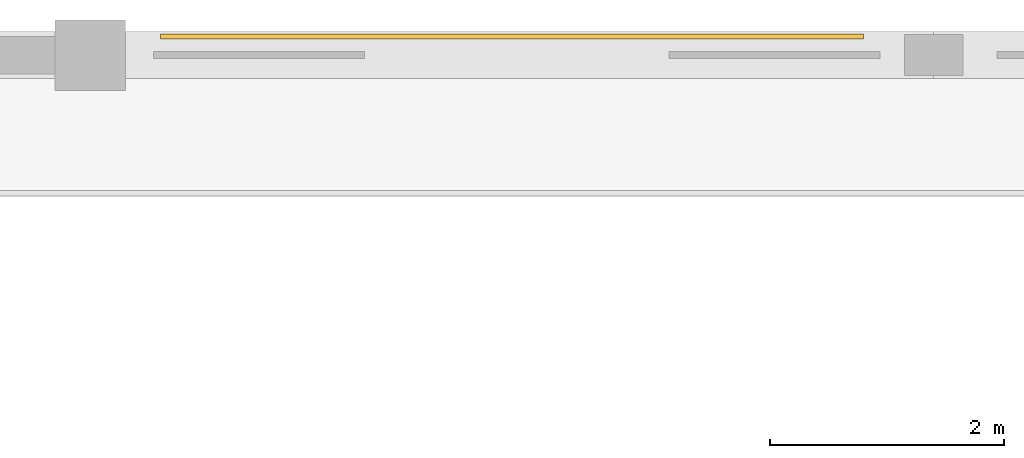
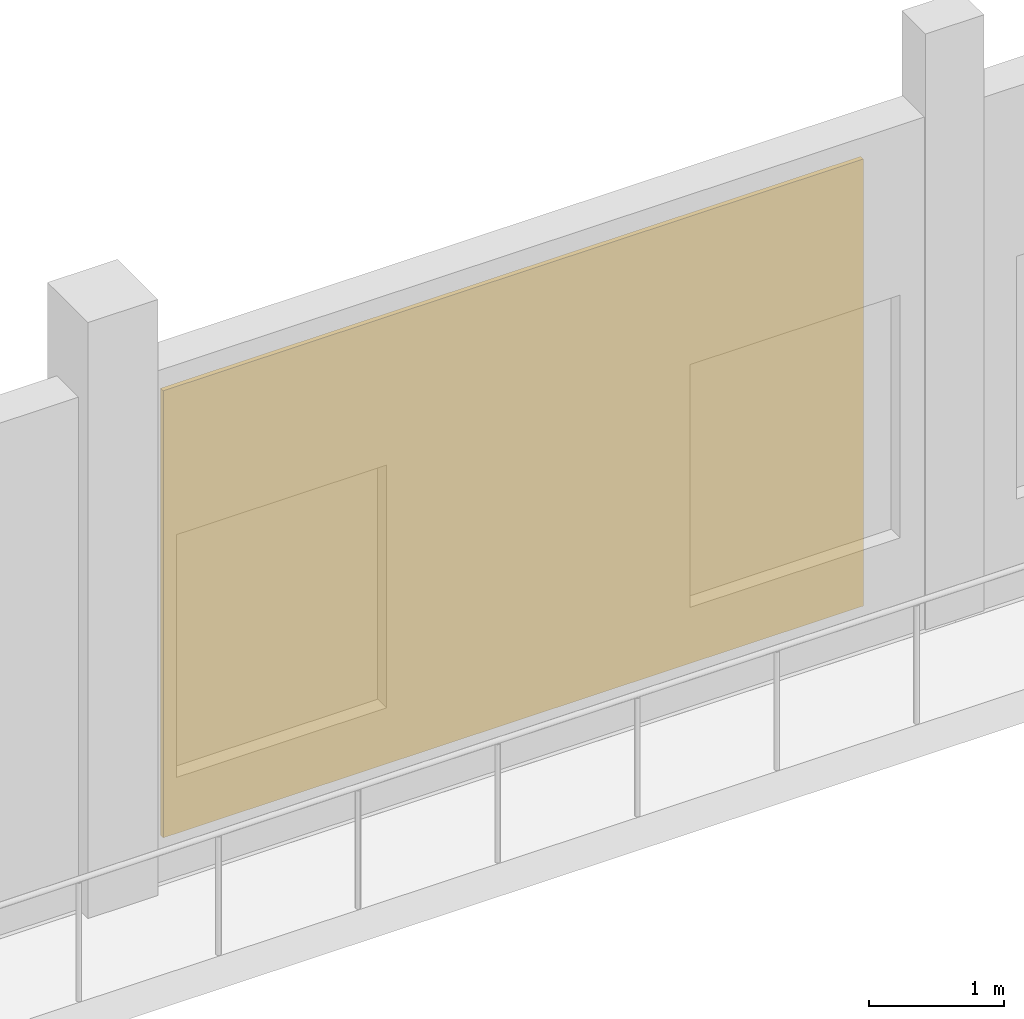
# One storey, part 40 of 41: 1 covering.
"""IFC4 building model written with IfcOpenShell, lengths in metres."""

from ifc_helpers import new_model, si_unit, direction, frame, origin, place, context, subcontext, project, spatial, polyline, outline, extrude, material, layer, layer_set, type_object, element, save


model = new_model("IFC4")

# Units and contexts
model_context = context("Model", 3, precision=1e-05, world=origin(), true_north=direction((0.0, 1.0)))
body_context = subcontext(model_context, "Body", "Model", "MODEL_VIEW")
ifc_project = project(units=[si_unit("LENGTHUNIT", "METRE"), si_unit("AREAUNIT", "SQUARE_METRE"), si_unit("VOLUMEUNIT", "CUBIC_METRE"), si_unit("PLANEANGLEUNIT", "RADIAN"), si_unit("MASSUNIT", "GRAM", prefix="KILO")], contexts=[model_context])

# Site, building, storey
site_placement = place(None, origin())
site = spatial("IfcSite", under=ifc_project, at=site_placement, CompositionType="ELEMENT")
building_placement = place(site_placement, origin())
building = spatial("IfcBuilding", under=site, at=building_placement, Name="Kahlenmark Community Centre", CompositionType="ELEMENT")
storey_placement = place(building_placement, origin())
storey = spatial("IfcBuildingStorey", under=building, at=storey_placement, Name="L00", CompositionType="ELEMENT", Elevation=0.0)

# Covering
ifc_material = material(Name="Honed Danube limestone plinth cladding", Category="masonry")
ifc_layer = layer(ifc_material, 0.0400390625)
ifc_layer_set = layer_set([ifc_layer], Name="Honed Danube limestone plinth cladding")
covering_type = type_object("IfcCoveringType", Name="CVT-CLAD-LIME", PredefinedType="CLADDING", material=ifc_layer_set)
covering_placement = place(storey_placement, frame((0.0, 0.0, 0.14990234375)))
element("IfcCovering", 1, at=covering_placement, inside=storey, type_object=covering_type, Name="Danube limestone plinth cladding 08", PredefinedType="CLADDING", context=body_context, shape_type="SweptSolid", body=[
    extrude(outline(polyline([(65.800048828125, 115.139892578125), (71.800048828125, 115.139892578125), (71.800048828125, 115.179931640625), (65.800048828125, 115.179931640625), (65.800048828125, 115.139892578125)])), origin(), (0.0, 0.0, 1.0), 4.050048828125),
])

save(model, "model.ifc")
